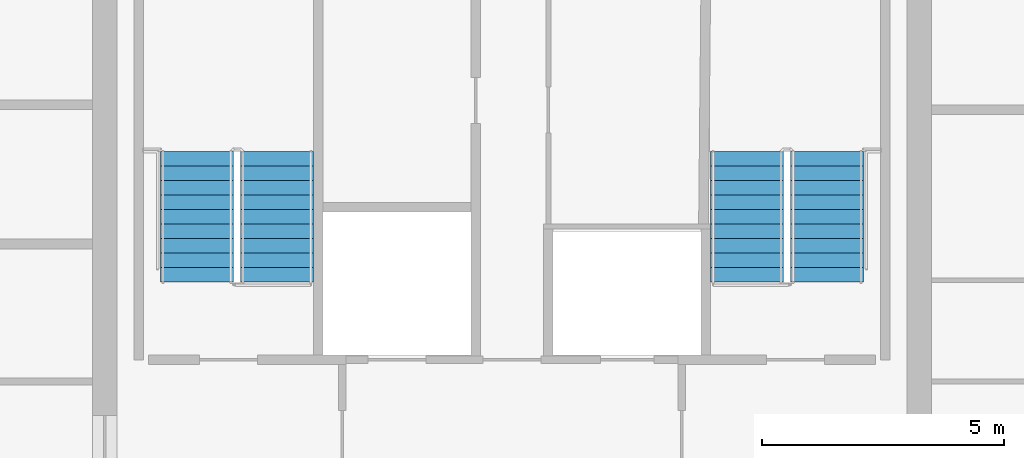
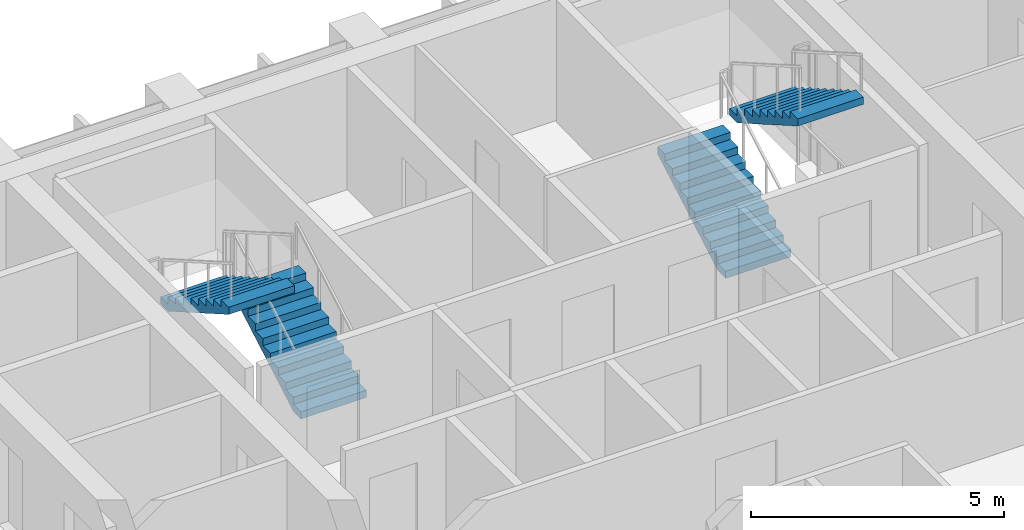
# One storey, part 14 of 18: 4 stair flights, 2 elements without a shape of their own.
"""IFC4 building model written with IfcOpenShell, lengths in metres."""

from ifc_helpers import new_model, si_unit, direction, frame, origin, place, context, subcontext, project, spatial, polyline, outline, extrude, material, type_object, element, aggregate, save


model = new_model("IFC4")

# Units and contexts
model_context = context("Model", 3, precision=1e-05, world=origin(), true_north=direction((0.0, 1.0)))
body_context = subcontext(model_context, "Body", "Model", "MODEL_VIEW")
ifc_project = project(units=[si_unit("LENGTHUNIT", "METRE"), si_unit("AREAUNIT", "SQUARE_METRE"), si_unit("VOLUMEUNIT", "CUBIC_METRE"), si_unit("PLANEANGLEUNIT", "RADIAN"), si_unit("MASSUNIT", "GRAM", prefix="KILO")], contexts=[model_context])

# Site, building, storey
site_placement = place(None, origin())
site = spatial("IfcSite", under=ifc_project, at=site_placement, CompositionType="ELEMENT")
building_placement = place(site_placement, origin())
building = spatial("IfcBuilding", under=site, at=building_placement, Name="Vermilion Ogive Tower", CompositionType="ELEMENT")
storey_placement = place(building_placement, frame((0.0, 0.0, 261.39990234375)))
storey = spatial("IfcBuildingStorey", under=building, at=storey_placement, Name="L69", CompositionType="ELEMENT", Elevation=261.39990234375)

# Stair, stair flights
ifc_material_1 = material(Name="Concrete B40", Category="concrete")
stair_type = type_object("IfcStairType", Name="Exit stair 1500", PredefinedType="HALF_TURN_STAIR", material=ifc_material_1)
stair_1_placement = place(storey_placement, origin())
stair_1 = element("IfcStair", 1, at=stair_1_placement, inside=storey, type_object=stair_type, Name="L69 Exit Stair ST1", PredefinedType="HALF_TURN_STAIR")
ifc_material_2 = material(Name="Concrete B40", Category="concrete")
stair_flight_type = type_object("IfcStairFlightType", Name="Stair flight 1500", PredefinedType="STRAIGHT", material=ifc_material_2)
stair_flight_1_placement = place(storey_placement, frame((-4.85009765625, 14.85009765625, 0.0), z_axis=(0.0, 0.0, 1.0), x_axis=(0.0, 1.0, 0.0)))
stair_flight_1 = element("IfcStairFlight", 2, at=stair_flight_1_placement, type_object=stair_flight_type, Name="ST1 flight 1", NumberOfRisers=10, NumberOfTreads=9, PredefinedType="STRAIGHT", RiserHeight=0.1725, TreadLength=0.3, context=body_context, shape_type="SweptSolid", body=[
    extrude(outline(polyline([(0.0, 0.0), (0.0, 0.172607421875), (0.300048828125, 0.172607421875), (0.300048828125, 0.344970703125), (0.60009765625, 0.344970703125), (0.60009765625, 0.517578125), (0.89990234375, 0.517578125), (0.89990234375, 0.68994140625), (1.199951171875, 0.68994140625), (1.199951171875, 0.862548828125), (1.5, 0.862548828125), (1.5, 1.034912109375), (1.800048828125, 1.034912109375), (1.800048828125, 1.20751953125), (2.10009765625, 1.20751953125), (2.10009765625, 1.3798828125), (2.39990234375, 1.3798828125), (2.39990234375, 1.552490234375), (2.699951171875, 1.552490234375), (2.699951171875, 1.72509765625), (2.699951171875, 1.379638671875), (0.30078125, 0.0), (0.0, 0.0)])), frame((0.0, 0.75, 0.0), z_axis=(0.0, -1.0, 0.0), x_axis=(1.0, 0.0, 0.0)), (0.0, 0.0, 1.0), 1.5),
])
stair_flight_2_placement = place(storey_placement, frame((-6.5, 17.550048828125, 1.72509765625), z_axis=(0.0, 0.0, 1.0), x_axis=(0.0, -1.0, 0.0)))
stair_flight_2 = element("IfcStairFlight", 3, at=stair_flight_2_placement, type_object=stair_flight_type, Name="ST1 flight 2", NumberOfRisers=10, NumberOfTreads=9, PredefinedType="STRAIGHT", RiserHeight=0.1725, TreadLength=0.3, context=body_context, shape_type="SweptSolid", body=[
    extrude(outline(polyline([(0.0, 0.0), (0.0, 0.172607421875), (0.300048828125, 0.172607421875), (0.300048828125, 0.344970703125), (0.60009765625, 0.344970703125), (0.60009765625, 0.517578125), (0.89990234375, 0.517578125), (0.89990234375, 0.68994140625), (1.199951171875, 0.68994140625), (1.199951171875, 0.862548828125), (1.5, 0.862548828125), (1.5, 1.034912109375), (1.800048828125, 1.034912109375), (1.800048828125, 1.20751953125), (2.10009765625, 1.20751953125), (2.10009765625, 1.3798828125), (2.39990234375, 1.3798828125), (2.39990234375, 1.552490234375), (2.699951171875, 1.552490234375), (2.699951171875, 1.72509765625), (2.699951171875, 1.379638671875), (0.30078125, 0.0), (0.0, 0.0)])), frame((0.0, 0.75, 0.0), z_axis=(0.0, -1.0, 0.0), x_axis=(1.0, 0.0, 0.0)), (0.0, 0.0, 1.0), 1.5),
])
aggregate(stair_1, [stair_flight_1, stair_flight_2])

stair_2_placement = place(storey_placement, origin())
stair_2 = element("IfcStair", 4, at=stair_2_placement, inside=storey, type_object=stair_type, Name="L69 Exit Stair ST2", PredefinedType="HALF_TURN_STAIR")
stair_flight_3_placement = place(storey_placement, frame((4.85009765625, 14.85009765625, 0.0), z_axis=(0.0, 0.0, 1.0), x_axis=(0.0, 1.0, 0.0)))
stair_flight_3 = element("IfcStairFlight", 5, at=stair_flight_3_placement, type_object=stair_flight_type, Name="ST2 flight 1", NumberOfRisers=10, NumberOfTreads=9, PredefinedType="STRAIGHT", RiserHeight=0.1725, TreadLength=0.3, context=body_context, shape_type="SweptSolid", body=[
    extrude(outline(polyline([(0.0, 0.0), (0.0, 0.172607421875), (0.300048828125, 0.172607421875), (0.300048828125, 0.344970703125), (0.60009765625, 0.344970703125), (0.60009765625, 0.517578125), (0.89990234375, 0.517578125), (0.89990234375, 0.68994140625), (1.199951171875, 0.68994140625), (1.199951171875, 0.862548828125), (1.5, 0.862548828125), (1.5, 1.034912109375), (1.800048828125, 1.034912109375), (1.800048828125, 1.20751953125), (2.10009765625, 1.20751953125), (2.10009765625, 1.3798828125), (2.39990234375, 1.3798828125), (2.39990234375, 1.552490234375), (2.699951171875, 1.552490234375), (2.699951171875, 1.72509765625), (2.699951171875, 1.379638671875), (0.30078125, 0.0), (0.0, 0.0)])), frame((0.0, 0.75, 0.0), z_axis=(0.0, -1.0, 0.0), x_axis=(1.0, 0.0, 0.0)), (0.0, 0.0, 1.0), 1.5),
])
stair_flight_4_placement = place(storey_placement, frame((6.5, 17.550048828125, 1.72509765625), z_axis=(0.0, 0.0, 1.0), x_axis=(0.0, -1.0, 0.0)))
stair_flight_4 = element("IfcStairFlight", 6, at=stair_flight_4_placement, type_object=stair_flight_type, Name="ST2 flight 2", NumberOfRisers=10, NumberOfTreads=9, PredefinedType="STRAIGHT", RiserHeight=0.1725, TreadLength=0.3, context=body_context, shape_type="SweptSolid", body=[
    extrude(outline(polyline([(0.0, 0.0), (0.0, 0.172607421875), (0.300048828125, 0.172607421875), (0.300048828125, 0.344970703125), (0.60009765625, 0.344970703125), (0.60009765625, 0.517578125), (0.89990234375, 0.517578125), (0.89990234375, 0.68994140625), (1.199951171875, 0.68994140625), (1.199951171875, 0.862548828125), (1.5, 0.862548828125), (1.5, 1.034912109375), (1.800048828125, 1.034912109375), (1.800048828125, 1.20751953125), (2.10009765625, 1.20751953125), (2.10009765625, 1.3798828125), (2.39990234375, 1.3798828125), (2.39990234375, 1.552490234375), (2.699951171875, 1.552490234375), (2.699951171875, 1.72509765625), (2.699951171875, 1.379638671875), (0.30078125, 0.0), (0.0, 0.0)])), frame((0.0, 0.75, 0.0), z_axis=(0.0, -1.0, 0.0), x_axis=(1.0, 0.0, 0.0)), (0.0, 0.0, 1.0), 1.5),
])
aggregate(stair_2, [stair_flight_3, stair_flight_4])

save(model, "model.ifc")
